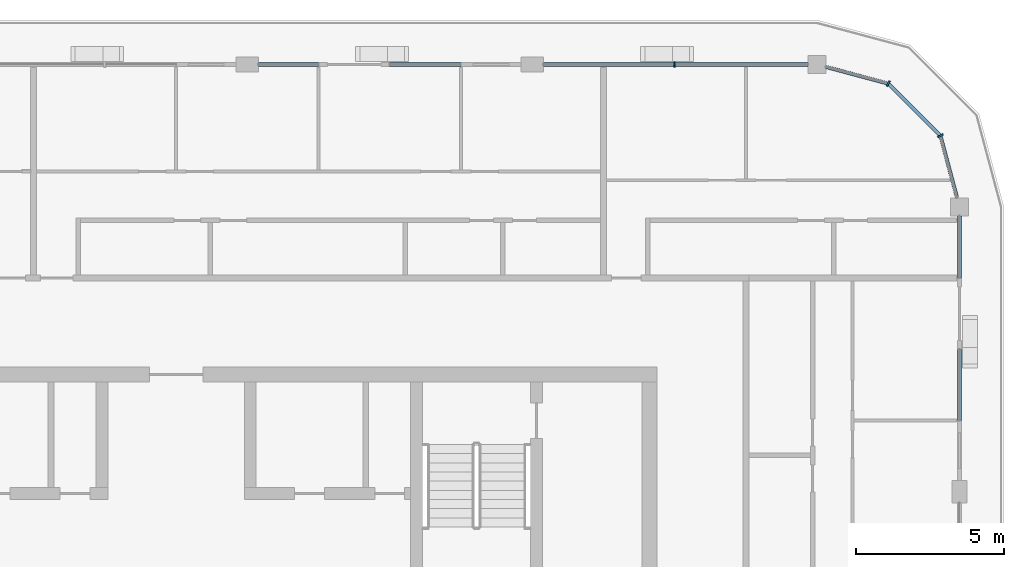
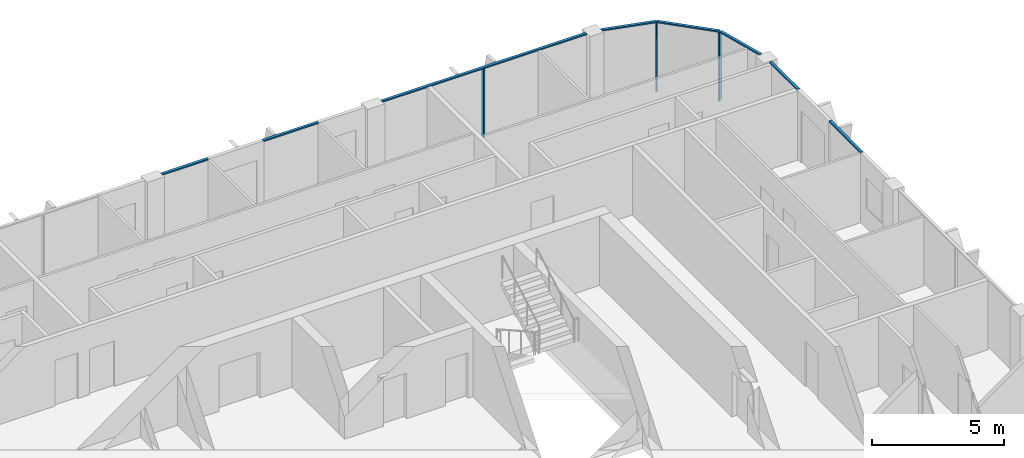
# One storey, part 6 of 22: 11 members, 4 elements without a shape of their own.
"""IFC4 building model written with IfcOpenShell, lengths in metres."""

from ifc_helpers import new_model, si_unit, direction, frame, origin, origin_2d, place, context, subcontext, project, spatial, rectangle, extrude, material, layer, layer_set, material_profile, profile_set, type_object, element, aggregate, save


model = new_model("IFC4")

# Units and contexts
model_context = context("Model", 3, precision=1e-05, world=origin(), true_north=direction((0.0, 1.0)))
body_context = subcontext(model_context, "Body", "Model", "MODEL_VIEW")
ifc_project = project(units=[si_unit("LENGTHUNIT", "METRE"), si_unit("AREAUNIT", "SQUARE_METRE"), si_unit("VOLUMEUNIT", "CUBIC_METRE"), si_unit("PLANEANGLEUNIT", "RADIAN"), si_unit("MASSUNIT", "GRAM", prefix="KILO")], contexts=[model_context])

# Site, building, storey
site_placement = place(None, origin())
site = spatial("IfcSite", under=ifc_project, at=site_placement, CompositionType="ELEMENT")
building_placement = place(site_placement, origin())
building = spatial("IfcBuilding", under=site, at=building_placement, Name="Madar Terraces", CompositionType="ELEMENT")
storey_placement = place(building_placement, frame((0.0, 0.0, 282.60009765625)))
storey = spatial("IfcBuildingStorey", under=building, at=storey_placement, Name="L74", CompositionType="ELEMENT", Elevation=282.60009765625)

# Curtain wall, member
ifc_material_1 = material(Name="Glass, ceramic frit dark grey, with black aluminium frame", Category="aluminium")
ifc_layer = layer(ifc_material_1, 0.199951171875)
ifc_layer_set = layer_set([ifc_layer], Name="Facade curtain wall, fritted glass")
curtain_wall_type = type_object("IfcCurtainWallType", Name="Facade curtain wall, fritted glass", PredefinedType="NOTDEFINED", material=ifc_layer_set)
curtain_wall_1_placement = place(storey_placement, origin())
curtain_wall_1 = element("IfcCurtainWall", 1, at=curtain_wall_1_placement, inside=storey, type_object=curtain_wall_type, Name="Outer skin curtain wall north bay 1", PredefinedType="NOTDEFINED")
ifc_material_2 = material(Name="Aluminium, black anodised", Category="aluminium")
ifc_material_profile_1 = material_profile(ifc_material_2, rectangle(XDim=0.199951171875, YDim=0.06005859375, at=origin_2d()), Name="Facade mullion 60x200")
ifc_profile_set_1 = profile_set([ifc_material_profile_1], Name="Aluminium, black anodised")
member_type_1 = type_object("IfcMemberType", Name="Facade mullion 60x200", PredefinedType="MULLION", material=ifc_profile_set_1)
member_1_placement = place(storey_placement, frame((48.0, 48.0, 0.0), z_axis=(0.0, 0.0, 1.0), x_axis=(0.0, -1.0, 0.0)))
member_1 = element("IfcMember", 2, at=member_1_placement, type_object=member_type_1, Name="Mullion 1", PredefinedType="MULLION", context=body_context, shape_type="SweptSolid", body=[
    extrude(rectangle(XDim=0.199951171875, YDim=0.06005859375, at=origin_2d()), origin(), (0.0, 0.0, 1.0), 3.139892578125),
])

# Curtain wall, members
curtain_wall_2_placement = place(storey_placement, origin())
curtain_wall_2 = element("IfcCurtainWall", 3, at=curtain_wall_2_placement, inside=storey, type_object=curtain_wall_type, Name="Outer skin curtain wall north-east corner", PredefinedType="NOTDEFINED")
member_2_placement = place(storey_placement, frame((56.95703125, 45.60009765625, 0.0), z_axis=(0.0, 0.0, 1.0), x_axis=(-0.866025409797, -0.499999989586, 0.0)))
member_2 = element("IfcMember", 4, at=member_2_placement, type_object=member_type_1, Name="Mullion 1", PredefinedType="MULLION", context=body_context, shape_type="SweptSolid", body=[
    extrude(rectangle(XDim=0.199951171875, YDim=0.06005859375, at=origin_2d()), origin(), (0.0, 0.0, 1.0), 3.139892578125),
])
member_3_placement = place(storey_placement, frame((55.199951171875, 47.35693359375, 0.0), z_axis=(0.0, 0.0, 1.0), x_axis=(-0.499999989586, -0.866025409797, 0.0)))
member_3 = element("IfcMember", 5, at=member_3_placement, type_object=member_type_1, Name="Mullion 2", PredefinedType="MULLION", context=body_context, shape_type="SweptSolid", body=[
    extrude(rectangle(XDim=0.199951171875, YDim=0.06005859375, at=origin_2d()), origin(), (0.0, 0.0, 1.0), 3.139892578125),
])

curtain_wall_3_placement = place(storey_placement, origin())
curtain_wall_3 = element("IfcCurtainWall", 6, at=curtain_wall_3_placement, inside=storey, type_object=curtain_wall_type, Name="Outer skin curtain wall east bay 4", PredefinedType="NOTDEFINED")
ifc_material_3 = material(Name="Aluminium, black anodised", Category="aluminium")
ifc_material_profile_2 = material_profile(ifc_material_3, rectangle(XDim=0.1201171875, YDim=0.06005859375, at=origin_2d()), Name="Facade transom 60x120")
ifc_profile_set_2 = profile_set([ifc_material_profile_2], Name="Aluminium, black anodised")
member_type_2 = type_object("IfcMemberType", Name="Facade transom 60x120", PredefinedType="USERDEFINED", material=ifc_profile_set_2)
member_4_placement = place(storey_placement, frame((57.60009765625, 36.0, 3.169921875), z_axis=(0.0, 1.0, 0.0), x_axis=(-1.0, 0.0, 0.0)))
member_4 = element("IfcMember", 7, at=member_4_placement, type_object=member_type_2, Name="Transom 1", ObjectType="TRANSOM", PredefinedType="USERDEFINED", context=body_context, shape_type="SweptSolid", body=[
    extrude(rectangle(XDim=0.1201171875, YDim=0.06005859375, at=origin_2d()), origin(), (0.0, 0.0, 1.0), 2.39990234375),
])
member_5_placement = place(storey_placement, frame((57.60009765625, 40.800048828125, 3.169921875), z_axis=(0.0, 1.0, 0.0), x_axis=(-1.0, 0.0, 0.0)))
member_5 = element("IfcMember", 8, at=member_5_placement, type_object=member_type_2, Name="Transom 2", ObjectType="TRANSOM", PredefinedType="USERDEFINED", context=body_context, shape_type="SweptSolid", body=[
    extrude(rectangle(XDim=0.1201171875, YDim=0.06005859375, at=origin_2d()), origin(), (0.0, 0.0, 1.0), 2.099853515625),
])
aggregate(curtain_wall_3, [member_4, member_5])

# Member
member_6_placement = place(storey_placement, frame((52.5, 48.0, 3.169921875), z_axis=(-1.0, 0.0, 0.0), x_axis=(0.0, -1.0, 0.0)))
member_6 = element("IfcMember", 9, at=member_6_placement, type_object=member_type_2, Name="Transom 1", ObjectType="TRANSOM", PredefinedType="USERDEFINED", context=body_context, shape_type="SweptSolid", body=[
    extrude(rectangle(XDim=0.1201171875, YDim=0.06005859375, at=origin_2d()), origin(), (0.0, 0.0, 1.0), 8.925048828125),
])

aggregate(curtain_wall_1, [member_1, member_6])

# Curtain wall, members
curtain_wall_4_placement = place(storey_placement, origin())
curtain_wall_4 = element("IfcCurtainWall", 10, at=curtain_wall_4_placement, inside=storey, type_object=curtain_wall_type, Name="Outer skin curtain wall north bay 2", PredefinedType="NOTDEFINED")
member_7_placement = place(storey_placement, frame((40.800048828125, 48.0, 3.169921875), z_axis=(-1.0, 0.0, 0.0), x_axis=(0.0, -1.0, 0.0)))
member_7 = element("IfcMember", 11, at=member_7_placement, type_object=member_type_2, Name="Transom 1", ObjectType="TRANSOM", PredefinedType="USERDEFINED", context=body_context, shape_type="SweptSolid", body=[
    extrude(rectangle(XDim=0.1201171875, YDim=0.06005859375, at=origin_2d()), origin(), (0.0, 0.0, 1.0), 2.400146484375),
])
member_8_placement = place(storey_placement, frame((36.0, 48.0, 3.169921875), z_axis=(-1.0, 0.0, 0.0), x_axis=(0.0, -1.0, 0.0)))
member_8 = element("IfcMember", 12, at=member_8_placement, type_object=member_type_2, Name="Transom 2", ObjectType="TRANSOM", PredefinedType="USERDEFINED", context=body_context, shape_type="SweptSolid", body=[
    extrude(rectangle(XDim=0.1201171875, YDim=0.06005859375, at=origin_2d()), origin(), (0.0, 0.0, 1.0), 2.02490234375),
])
aggregate(curtain_wall_4, [member_7, member_8])

# Member
member_9_placement = place(storey_placement, frame((57.51953125, 43.5, 3.169921875), z_axis=(-0.258817664066, 0.965926196336, 0.0), x_axis=(-0.965926196336, -0.258817664066, 0.0)))
member_9 = element("IfcMember", 13, at=member_9_placement, type_object=member_type_2, Name="Transom 1", ObjectType="TRANSOM", PredefinedType="USERDEFINED", context=body_context, shape_type="SweptSolid", body=[
    extrude(rectangle(XDim=0.1201171875, YDim=0.06005859375, at=origin_2d()), origin(), (0.0, 0.0, 1.0), 2.14404296875),
])

member_10_placement = place(storey_placement, frame((56.935791015625, 45.62109375, 3.169921875), z_axis=(-0.707106781187, 0.707106781187, 0.0), x_axis=(-0.707106781187, -0.707106781187, 0.0)))
member_10 = element("IfcMember", 14, at=member_10_placement, type_object=member_type_2, Name="Transom 2", ObjectType="TRANSOM", PredefinedType="USERDEFINED", context=body_context, shape_type="SweptSolid", body=[
    extrude(rectangle(XDim=0.1201171875, YDim=0.06005859375, at=origin_2d()), origin(), (0.0, 0.0, 1.0), 2.4248046875),
])

member_11_placement = place(storey_placement, frame((55.171142578125, 47.36474609375, 3.169921875), z_axis=(-0.965926196336, 0.258817664066, 0.0), x_axis=(-0.258817664066, -0.965926196336, 0.0)))
member_11 = element("IfcMember", 15, at=member_11_placement, type_object=member_type_2, Name="Transom 3", ObjectType="TRANSOM", PredefinedType="USERDEFINED", context=body_context, shape_type="SweptSolid", body=[
    extrude(rectangle(XDim=0.1201171875, YDim=0.06005859375, at=origin_2d()), origin(), (0.0, 0.0, 1.0), 2.14404296875),
])

aggregate(curtain_wall_2, [member_2, member_9, member_3, member_10, member_11])

save(model, "model.ifc")
